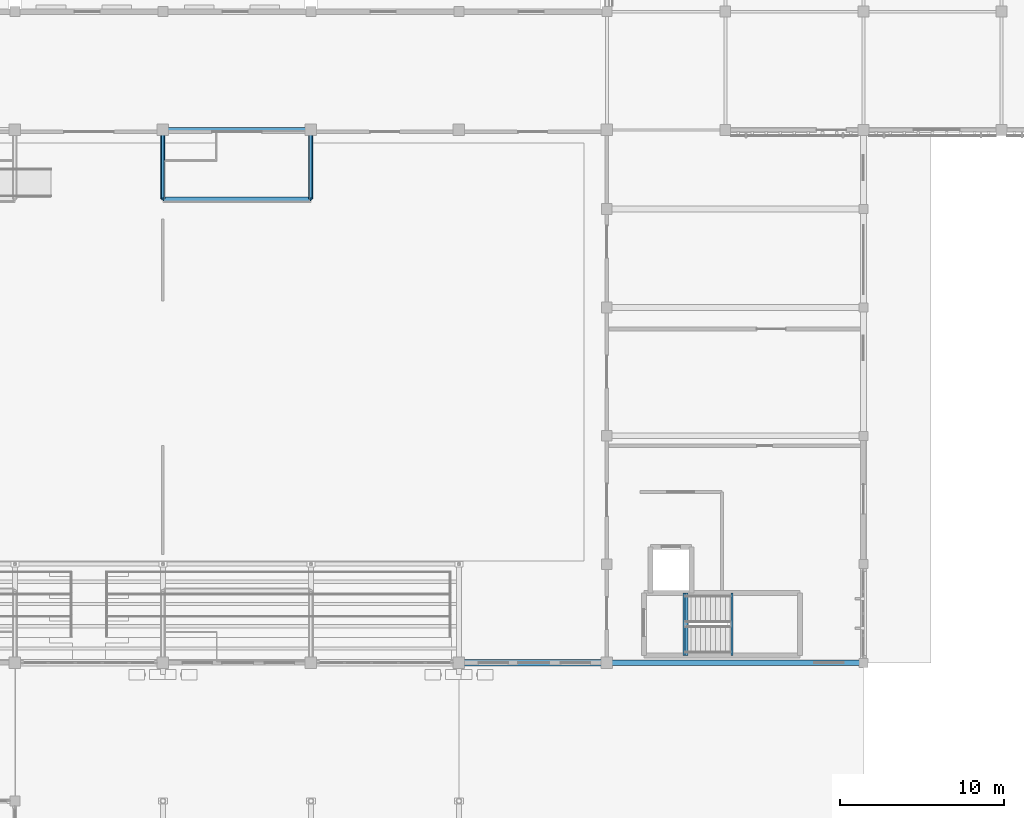
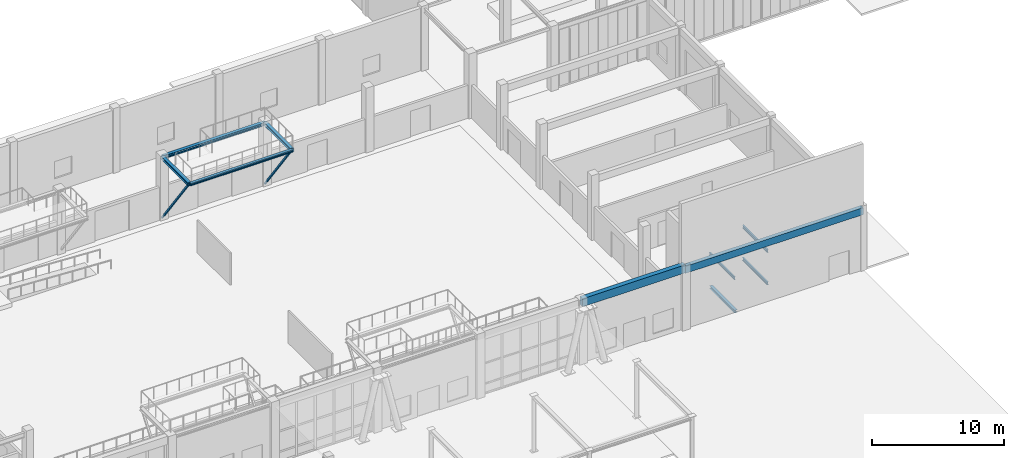
# One storey, part 48 of 110: 10 beams, 2 members.
"""IFC4 building model written with IfcOpenShell, lengths in metres."""

from ifc_helpers import new_model, si_unit, direction, frame, origin, origin_2d, place, context, subcontext, project, spatial, rectangle, hollow_rectangle, i_section, extrude, material, material_profile, profile_set, type_object, element, save


model = new_model("IFC4")

# Units and contexts
model_context = context("Model", 3, precision=1e-05, world=origin(), true_north=direction((0.0, 1.0)))
body_context = subcontext(model_context, "Body", "Model", "MODEL_VIEW")
ifc_project = project(units=[si_unit("LENGTHUNIT", "METRE"), si_unit("AREAUNIT", "SQUARE_METRE"), si_unit("VOLUMEUNIT", "CUBIC_METRE"), si_unit("PLANEANGLEUNIT", "RADIAN"), si_unit("MASSUNIT", "GRAM", prefix="KILO")], contexts=[model_context])

# Site, building, storey
site_placement = place(None, origin())
site = spatial("IfcSite", under=ifc_project, at=site_placement, CompositionType="ELEMENT")
building_placement = place(site_placement, origin())
building = spatial("IfcBuilding", under=site, at=building_placement, Name="Tizgana Railside Sports Hall", CompositionType="ELEMENT")
storey_placement = place(building_placement, origin())
storey = spatial("IfcBuildingStorey", under=building, at=storey_placement, Name="L00", CompositionType="ELEMENT", Elevation=0.0)

# Beams
ifc_material_1 = material(Name="Concrete C35/45", Category="concrete")
ifc_material_profile_1 = material_profile(ifc_material_1, rectangle(XDim=0.35009765625, YDim=0.64990234375, at=origin_2d()), Name="RCB 350x650")
ifc_profile_set_1 = profile_set([ifc_material_profile_1], Name="Concrete C35/45")
beam_type_1 = type_object("IfcBeamType", Name="Concrete Beam RCB 350x650", PredefinedType="BEAM", material=ifc_profile_set_1)
beam_1_placement = place(storey_placement, frame((133.800048828125, 40.800048828125, 5.450927734375), z_axis=(1.0, 0.0, 0.0), x_axis=(0.0, 1.0, 0.0)))
element("IfcBeam", 1, at=beam_1_placement, inside=storey, type_object=beam_type_1, Name="L00 BEM-1372", PredefinedType="BEAM", context=body_context, shape_type="SweptSolid", body=[
    extrude(rectangle(XDim=0.35009765625, YDim=0.64990234375, at=origin_2d()), origin(), (0.0, 0.0, 1.0), 15.599853515625),
])
ifc_material_profile_2 = material_profile(ifc_material_1, rectangle(XDim=0.39990234375, YDim=0.75, at=origin_2d()), Name="RCB 400x750")
ifc_profile_set_2 = profile_set([ifc_material_profile_2], Name="Concrete C35/45")
beam_type_2 = type_object("IfcBeamType", Name="Concrete Beam RCB 400x750", PredefinedType="BEAM", material=ifc_profile_set_2)
beam_2_placement = place(storey_placement, frame((124.800048828125, 40.800048828125, 5.580078125), z_axis=(1.0, 0.0, 0.0), x_axis=(0.0, 1.0, 0.0)))
element("IfcBeam", 2, at=beam_2_placement, inside=storey, type_object=beam_type_2, Name="L00 V2 Mid-Height Spandrel", PredefinedType="BEAM", context=body_context, shape_type="SweptSolid", body=[
    extrude(rectangle(XDim=0.39990234375, YDim=0.75, at=origin_2d()), origin(), (0.0, 0.0, 1.0), 9.0),
])
ifc_material_2 = material(Name="Steel S355J2", Category="steel")
ifc_material_profile_3 = material_profile(ifc_material_2, i_section(OverallWidth=0.1298828125, OverallDepth=0.27001953125, WebThickness=0.006591796875, FlangeThickness=0.01025390625, FilletRadius=0.014892578125, at=origin_2d()), Name="IPE 270")
ifc_profile_set_3 = profile_set([ifc_material_profile_3], Name="Steel S355J2")
beam_type_3 = type_object("IfcBeamType", Name="Stair Mid-Landing Header IPE 270", PredefinedType="JOIST", material=ifc_profile_set_3)
for number, where, z_axis, x_axis, name in (
    (3, (141.39990234375, 41.25, 1.1630859375), (0.0, 1.0, 0.0), (-1.0, 0.0, 0.0), "L00 C5 Mid Header 1"),
    (4, (138.5, 41.25, 2.6630859375), (0.0, 1.0, 0.0), (-1.0, 0.0, 0.0), "L00 C5 Mid Header 2"),
    (5, (141.39990234375, 41.25, 4.1630859375), (0.0, 1.0, 0.0), (-1.0, 0.0, 0.0), "L00 C5 Mid Header 3"),
):
    element("IfcBeam", number, at=place(storey_placement, frame(where, z_axis=z_axis, x_axis=x_axis)), inside=storey, type_object=beam_type_3, Name=name, PredefinedType="JOIST", context=body_context, shape_type="SweptSolid", body=[
        extrude(i_section(OverallWidth=0.1298828125, OverallDepth=0.27001953125, WebThickness=0.006591796875, FlangeThickness=0.01025390625, FilletRadius=0.014892578125, at=origin_2d()), origin(), (0.0, 0.0, 1.0), 3.800048828125),
    ])
ifc_material_profile_4 = material_profile(ifc_material_2, i_section(OverallWidth=0.239990234375, OverallDepth=0.239990234375, WebThickness=0.010009765625, FlangeThickness=0.01708984375, FilletRadius=0.02099609375, at=origin_2d()), Name="HEB 240")
ifc_profile_set_4 = profile_set([ifc_material_profile_4], Name="Steel S355J2")
beam_type_4 = type_object("IfcBeamType", Name="Steel Beam HEB 240", PredefinedType="BEAM", material=ifc_profile_set_4)
beam_3_placement = place(storey_placement, frame((106.800048828125, 69.0, 5.64990234375), z_axis=(1.0, 0.0, 0.0), x_axis=(0.0, 1.0, 0.0)))
element("IfcBeam", 6, at=beam_3_placement, inside=storey, type_object=beam_type_4, Name="L00 BEM-1274", PredefinedType="BEAM", context=body_context, shape_type="SweptSolid", body=[
    extrude(i_section(OverallWidth=0.239990234375, OverallDepth=0.239990234375, WebThickness=0.010009765625, FlangeThickness=0.01708984375, FilletRadius=0.02099609375, at=origin_2d()), origin(), (0.0, 0.0, 1.0), 9.0),
])
beam_4_placement = place(storey_placement, frame((138.60009765625, 41.25, -0.44189453125), z_axis=(0.0, 1.0, 0.0), x_axis=(-1.0, 0.0, 0.0)))
element("IfcBeam", 7, at=beam_4_placement, inside=storey, type_object=beam_type_4, Name="L00 C5 Landing Header", PredefinedType="BEAM", context=body_context, shape_type="SweptSolid", body=[
    extrude(i_section(OverallWidth=0.239990234375, OverallDepth=0.239990234375, WebThickness=0.010009765625, FlangeThickness=0.01708984375, FilletRadius=0.02099609375, at=origin_2d()), origin(), (0.0, 0.0, 1.0), 3.800048828125),
])
ifc_material_profile_5 = material_profile(ifc_material_2, i_section(OverallWidth=0.280029296875, OverallDepth=0.280029296875, WebThickness=0.010498046875, FlangeThickness=0.01806640625, FilletRadius=0.02392578125, at=origin_2d()), Name="HEB 280")
ifc_profile_set_5 = profile_set([ifc_material_profile_5], Name="Steel S355J2")
beam_type_5 = type_object("IfcBeamType", Name="Steel Beam HEB 280", PredefinedType="BEAM", material=ifc_profile_set_5)
beam_5_placement = place(storey_placement, frame((106.800048828125, 73.199951171875, 5.6259765625), z_axis=(1.0, 0.0, 0.0), x_axis=(0.0, 1.0, 0.0)))
element("IfcBeam", 8, at=beam_5_placement, inside=storey, type_object=beam_type_5, Name="L00 BEM-1273", PredefinedType="BEAM", context=body_context, shape_type="SweptSolid", body=[
    extrude(i_section(OverallWidth=0.280029296875, OverallDepth=0.280029296875, WebThickness=0.010498046875, FlangeThickness=0.01806640625, FilletRadius=0.02392578125, at=origin_2d()), origin(), (0.0, 0.0, 1.0), 9.0),
])
for number, where, z_axis, x_axis, name in (
    (9, (106.800048828125, 73.199951171875, 5.6259765625), (0.0, -1.0, 0.0), (1.0, 0.0, 0.0), "L00 BEM-1275"),
    (10, (115.800048828125, 73.199951171875, 5.6259765625), (0.0, -1.0, 0.0), (1.0, 0.0, 0.0), "L00 BEM-1276"),
):
    element("IfcBeam", number, at=place(storey_placement, frame(where, z_axis=z_axis, x_axis=x_axis)), inside=storey, type_object=beam_type_5, Name=name, PredefinedType="BEAM", context=body_context, shape_type="SweptSolid", body=[
        extrude(i_section(OverallWidth=0.280029296875, OverallDepth=0.280029296875, WebThickness=0.010498046875, FlangeThickness=0.01806640625, FilletRadius=0.02392578125, at=origin_2d()), origin(), (0.0, 0.0, 1.0), 4.199951171875),
    ])

# Members
ifc_material_profile_6 = material_profile(ifc_material_2, hollow_rectangle(XDim=0.139892578125, YDim=0.139892578125, WallThickness=0.008056640625, at=origin_2d()), Name="SHS 140x140x8")
ifc_profile_set_6 = profile_set([ifc_material_profile_6], Name="Steel S355J2")
member_type = type_object("IfcMemberType", Name="Steel Brace SHS 140x140x8", PredefinedType="BRACE", material=ifc_profile_set_6)
for number, where, z_axis, x_axis, name in (
    (11, (106.800048828125, 73.199951171875, 0.0), (0.0, -0.588499132235, 0.808497848704), (1.0, 0.0, 0.0), "L00 Catwalk Raker"),
    (12, (115.800048828125, 73.199951171875, 0.0), (0.0, -0.588499132235, 0.808497848704), (1.0, 0.0, 0.0), "L00 Catwalk Raker"),
):
    element("IfcMember", number, at=place(storey_placement, frame(where, z_axis=z_axis, x_axis=x_axis)), inside=storey, type_object=member_type, Name=name, PredefinedType="BRACE", context=body_context, shape_type="SweptSolid", body=[
        extrude(hollow_rectangle(XDim=0.139892578125, YDim=0.139892578125, WallThickness=0.008056640625, at=origin_2d()), origin(), (0.0, 0.0, 1.0), 7.13671875),
    ])

save(model, "model.ifc")
